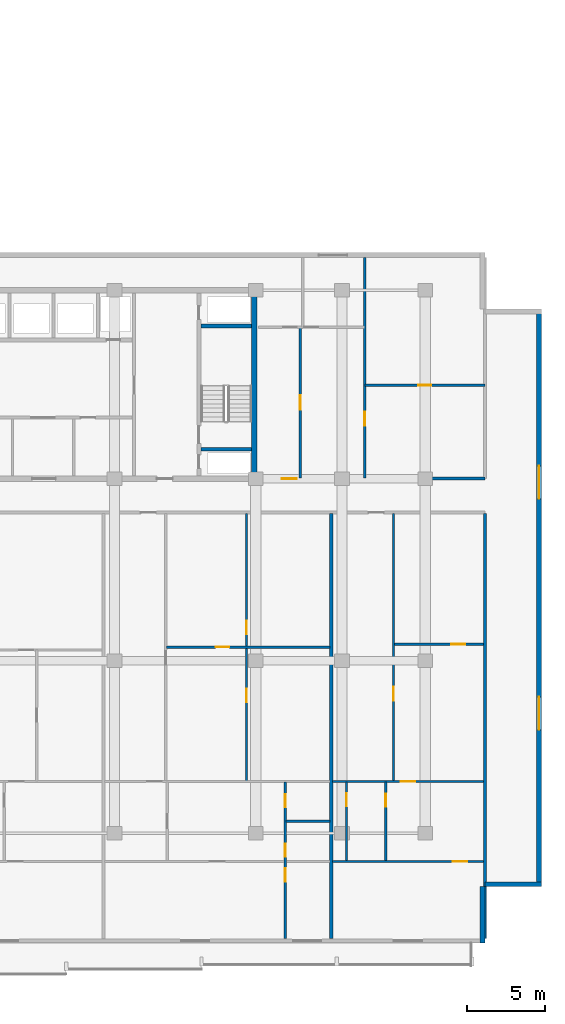
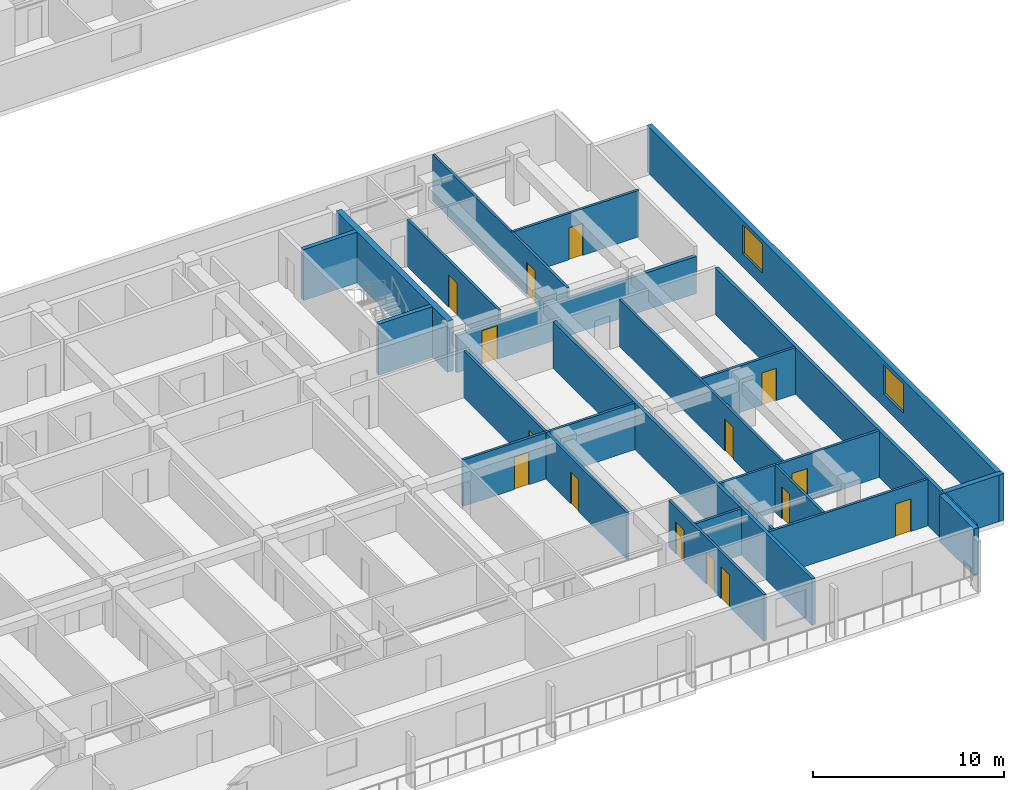
# One storey, part 8 of 24: 22 walls, 16 doors, 2 windows, 18 openings.
"""IFC4 building model written with IfcOpenShell, lengths in metres."""

from ifc_helpers import new_model, si_unit, direction, frame, frame_2d, origin, place, context, subcontext, project, spatial, rectangle, extrude, material, layer, layer_set, type_object, element, fill, save


model = new_model("IFC4")

# Units and contexts
model_context = context("Model", 3, precision=1e-05, world=origin(), true_north=direction((0.0, 1.0)))
body_context = subcontext(model_context, "Body", "Model", "MODEL_VIEW")
ifc_project = project(units=[si_unit("LENGTHUNIT", "METRE"), si_unit("AREAUNIT", "SQUARE_METRE"), si_unit("VOLUMEUNIT", "CUBIC_METRE"), si_unit("PLANEANGLEUNIT", "RADIAN"), si_unit("MASSUNIT", "GRAM", prefix="KILO")], contexts=[model_context])

# Site, building, storey
site_placement = place(None, origin())
site = spatial("IfcSite", under=ifc_project, at=site_placement, CompositionType="ELEMENT")
building_placement = place(site_placement, origin())
building = spatial("IfcBuilding", under=site, at=building_placement, Name="Korimba Cascade Residences", CompositionType="ELEMENT")
storey_placement = place(building_placement, frame((0.0, 0.0, 63.0)))
storey = spatial("IfcBuildingStorey", under=building, at=storey_placement, Name="L17", CompositionType="ELEMENT", Elevation=63.0)

# Walls
ifc_material_1 = material(Name="Precast concrete C40/50", Category="concrete")
ifc_layer_1 = layer(ifc_material_1, 0.300048828125)
ifc_layer_set_1 = layer_set([ifc_layer_1], Name="Precast concrete C40/50")
wall_type_1 = type_object("IfcWallType", Name="EW-STONE-300", PredefinedType="STANDARD", material=ifc_layer_set_1)
wall_1_placement = place(storey_placement, frame((132.550048828125, -11.199951171875, 0.0), z_axis=(0.0, 0.0, 1.0), x_axis=(0.0, 1.0, 0.0)))
element("IfcWall", 1, at=wall_1_placement, inside=storey, type_object=wall_type_1, Name="L17 T2 Perimeter Stone Wall E01", PredefinedType="STANDARD", context=body_context, shape_type="SweptSolid", body=[
    extrude(rectangle(XDim=3.599853515625, YDim=0.300048828125, at=frame_2d((1.7998046875, 0.0))), origin(), (0.0, 0.0, 1.0), 2.969970703125),
])
wall_2_placement = place(storey_placement, frame((132.699951171875, -7.449951171875, 0.0), z_axis=(0.0, 0.0, 1.0), x_axis=(1.0, 0.0, 0.0)))
element("IfcWall", 2, at=wall_2_placement, inside=storey, type_object=wall_type_1, Name="L17 T2 Perimeter Stone Wall E02", PredefinedType="STANDARD", context=body_context, shape_type="SweptSolid", body=[
    extrude(rectangle(XDim=3.60009765625, YDim=0.300048828125, at=frame_2d((1.800048828125, 0.0))), origin(), (0.0, 0.0, 1.0), 2.969970703125),
])

# Wall, openings, windows
wall_3_placement = place(storey_placement, frame((136.14990234375, -7.60009765625, 0.0), z_axis=(0.0, 0.0, 1.0), x_axis=(0.0, 1.0, 0.0)))
wall_3 = element("IfcWall", 3, at=wall_3_placement, inside=storey, type_object=wall_type_1, Name="L17 T2 Perimeter Stone Wall E03", PredefinedType="STANDARD", context=body_context, shape_type="SweptSolid", body=[
    extrude(rectangle(XDim=36.800048828125, YDim=0.300048828125, at=frame_2d((18.39990234375, 0.0))), origin(), (0.0, 0.0, 1.0), 2.969970703125),
])
opening_1_placement = place(wall_3_placement, frame((9.989990234375, 0.0, 0.85009765625)))
opening_1 = element("IfcOpeningElement", 4, at=opening_1_placement, cuts=wall_3, Name="Opening W-03", PredefinedType="OPENING", context=body_context, shape_type="SweptSolid", body=[
    extrude(rectangle(XDim=2.10009765625, YDim=1.85009765625, at=frame_2d((1.050048828125, 0.925048828125))), frame((0.0, 0.16015625, 0.0), z_axis=(0.0, -1.0, 0.0), x_axis=(1.0, 0.0, 0.0)), (0.0, 0.0, 1.0), 0.320068359375),
])
opening_2_placement = place(wall_3_placement, frame((24.7099609375, 0.0, 0.85009765625)))
opening_2 = element("IfcOpeningElement", 5, at=opening_2_placement, cuts=wall_3, Name="Opening W-03", PredefinedType="OPENING", context=body_context, shape_type="SweptSolid", body=[
    extrude(rectangle(XDim=2.10009765625, YDim=1.85009765625, at=frame_2d((1.050048828125, 0.925048828125))), frame((0.0, 0.16015625, 0.0), z_axis=(0.0, -1.0, 0.0), x_axis=(1.0, 0.0, 0.0)), (0.0, 0.0, 1.0), 0.320068359375),
])
ifc_material_2 = material(Name="Double-Glazed Aluminium Window", Category="aluminium")
window_type = type_object("IfcWindowType", Name="WIN-CRN-2100", PartitioningType="DOUBLE_PANEL_HORIZONTAL", PredefinedType="WINDOW", material=ifc_material_2)
window_1_placement = place(opening_1_placement, origin())
window_1 = element("IfcWindow", 6, at=window_1_placement, inside=storey, type_object=window_type, Name="L17 T2 End View Window 3.1", OverallHeight=1.85009765625, OverallWidth=2.10009765625, PartitioningType="DOUBLE_PANEL_HORIZONTAL", PredefinedType="WINDOW", context=body_context, shape_type="SweptSolid", body=[
    extrude(rectangle(XDim=2.10009765625, YDim=1.85009765625, at=frame_2d((1.050048828125, 0.925048828125))), frame((0.0, 0.030029296875, 0.0), z_axis=(0.0, -1.0, 0.0), x_axis=(1.0, 0.0, 0.0)), (0.0, 0.0, 1.0), 0.06005859375),
])
fill(opening_1, window_1)
window_2_placement = place(opening_2_placement, origin())
window_2 = element("IfcWindow", 7, at=window_2_placement, inside=storey, type_object=window_type, Name="L17 T2 End View Window 3.2", OverallHeight=1.85009765625, OverallWidth=2.10009765625, PartitioningType="DOUBLE_PANEL_HORIZONTAL", PredefinedType="WINDOW", context=body_context, shape_type="SweptSolid", body=[
    extrude(rectangle(XDim=2.10009765625, YDim=1.85009765625, at=frame_2d((1.050048828125, 0.925048828125))), frame((0.0, 0.030029296875, 0.0), z_axis=(0.0, -1.0, 0.0), x_axis=(1.0, 0.0, 0.0)), (0.0, 0.0, 1.0), 0.06005859375),
])
fill(opening_2, window_2)

# Wall
ifc_material_3 = material(Name="Concrete C65/80", Category="concrete")
ifc_layer_2 = layer(ifc_material_3, 0.35009765625)
ifc_layer_set_2 = layer_set([ifc_layer_2], Name="Concrete C65/80")
wall_type_2 = type_object("IfcWallType", Name="WAL-CORE-350", PredefinedType="SHEAR", material=ifc_layer_set_2)
wall_4_placement = place(storey_placement, frame((118.014892578125, 18.574951171875, 0.0), z_axis=(0.0, 0.0, 1.0), x_axis=(0.0, 1.0, 0.0)))
element("IfcWall", 8, at=wall_4_placement, inside=storey, type_object=wall_type_2, Name="L17 Core Shear Wall CW-L17-T2-E", PredefinedType="SHEAR", context=body_context, shape_type="SweptSolid", body=[
    extrude(rectangle(XDim=11.650146484375, YDim=0.35009765625, at=frame_2d((5.8251953125, 0.0))), origin(), (0.0, 0.0, 1.0), 3.25),
])

# Wall, opening, door
ifc_layer_3 = layer(ifc_material_1, 0.199951171875)
ifc_layer_set_3 = layer_set([ifc_layer_3], Name="Precast concrete C40/50")
wall_type_3 = type_object("IfcWallType", Name="WAL-IT-200", PredefinedType="PARTITIONING", material=ifc_layer_set_3)
wall_5_placement = place(storey_placement, frame((118.25, 18.39990234375, 0.0), z_axis=(0.0, 0.0, 1.0), x_axis=(1.0, 0.0, 0.0)))
wall_5 = element("IfcWall", 9, at=wall_5_placement, inside=storey, type_object=wall_type_3, Name="L17 Partition Wall WAL-L17-T2-FE-S", PredefinedType="PARTITIONING", context=body_context, shape_type="SweptSolid", body=[
    extrude(rectangle(XDim=14.449951171875, YDim=0.199951171875, at=frame_2d((7.22509765625, 0.0))), origin(), (0.0, 0.0, 1.0), 2.3701171875),
])
opening_3_placement = place(wall_5_placement, frame((1.510009765625, 0.0, 0.0)))
opening_3 = element("IfcOpeningElement", 10, at=opening_3_placement, cuts=wall_5, Name="Opening D-UN1", PredefinedType="OPENING", context=body_context, shape_type="SweptSolid", body=[
    extrude(rectangle(XDim=0.949951171875, YDim=2.14990234375, at=frame_2d((0.47509765625, 1.074951171875))), frame((0.0, 0.10986328125, 0.0), z_axis=(0.0, -1.0, 0.0), x_axis=(1.0, 0.0, 0.0)), (0.0, 0.0, 1.0), 0.219970703125),
])
ifc_material_4 = material(Name="Fire-Rated Hardwood Apartment Entrance Door", Category="wood")
door_type_1 = type_object("IfcDoorType", Name="DR-FD60-950", OperationType="NOTDEFINED", PredefinedType="DOOR", material=ifc_material_4)
door_1_placement = place(opening_3_placement, origin())
door_1 = element("IfcDoor", 11, at=door_1_placement, inside=storey, type_object=door_type_1, Name="L17-T2-FE Entrance Door", OperationType="SINGLE_SWING_LEFT", OverallHeight=2.14990234375, OverallWidth=0.949951171875, PredefinedType="DOOR", context=body_context, shape_type="SweptSolid", body=[
    extrude(rectangle(XDim=0.949951171875, YDim=2.14990234375, at=frame_2d((0.47509765625, 1.074951171875))), frame((0.0, 0.02490234375, 0.0), z_axis=(0.0, -1.0, 0.0), x_axis=(1.0, 0.0, 0.0)), (0.0, 0.0, 1.0), 0.050048828125),
])
fill(opening_3, door_1)

# Walls
for number, where, z_axis, x_axis, name in (
    (12, (132.699951171875, -10.89990234375, 0.0), (0.0, 0.0, 1.0), (0.0, 1.0, 0.0), "L17 Partition Wall WAL-L17-T2-BNDWR"),
    (13, (122.910400390625, -10.89990234375, 0.0), (0.0, 0.0, 1.0), (0.0, 1.0, 0.0), "L17 Partition Wall WAL-L17-T2-DEM-4"),
):
    element("IfcWall", number, at=place(storey_placement, frame(where, z_axis=z_axis, x_axis=x_axis)), inside=storey, type_object=wall_type_3, Name=name, PredefinedType="PARTITIONING", context=body_context, shape_type="SweptSolid", body=[
        extrude(rectangle(XDim=27.06982421875, YDim=0.199951171875, at=frame_2d((13.534912109375, 0.0))), origin(), (0.0, 0.0, 1.0), 2.969970703125),
    ])

# Wall, opening, door
ifc_material_5 = material(Name="Insulated Acoustic Stud Partition", Category="gypsum")
ifc_layer_4 = layer(ifc_material_5, 0.14990234375)
ifc_layer_set_4 = layer_set([ifc_layer_4], Name="Insulated Acoustic Stud Partition")
wall_type_4 = type_object("IfcWallType", Name="WAL-PART-150", PredefinedType="PARTITIONING", material=ifc_layer_set_4)
wall_6_placement = place(storey_placement, frame((125.050048828125, 24.35009765625, 0.0), z_axis=(0.0, 0.0, 1.0), x_axis=(1.0, 0.0, 0.0)))
wall_6 = element("IfcWall", 14, at=wall_6_placement, inside=storey, type_object=wall_type_4, Name="L17 Partition Wall WAL-L17-T2-FE-STH", PredefinedType="PARTITIONING", context=body_context, shape_type="SweptSolid", body=[
    extrude(rectangle(XDim=7.64990234375, YDim=0.14990234375, at=frame_2d((3.824951171875, 0.0))), origin(), (0.0, 0.0, 1.0), 2.969970703125),
])
opening_4_placement = place(wall_6_placement, frame((3.405029296875, 0.0, 0.0)))
opening_4 = element("IfcOpeningElement", 15, at=opening_4_placement, cuts=wall_6, Name="Opening D-BT1", PredefinedType="OPENING", context=body_context, shape_type="SweptSolid", body=[
    extrude(rectangle(XDim=0.840087890625, YDim=2.0400390625, at=frame_2d((0.419921875, 1.02001953125))), frame((0.0, 0.0849609375, 0.0), z_axis=(0.0, -1.0, 0.0), x_axis=(1.0, 0.0, 0.0)), (0.0, 0.0, 1.0), 0.169921875),
])
ifc_material_6 = material(Name="Moisture-Resistant Bathroom Timber Door", Category="wood")
door_type_2 = type_object("IfcDoorType", Name="DR-INT-850", OperationType="NOTDEFINED", PredefinedType="DOOR", material=ifc_material_6)
door_2_placement = place(opening_4_placement, origin())
door_2 = element("IfcDoor", 16, at=door_2_placement, inside=storey, type_object=door_type_2, Name="L17-T2-FE Dressing Store Door", OperationType="SINGLE_SWING_RIGHT", OverallHeight=2.0400390625, OverallWidth=0.840087890625, PredefinedType="DOOR", context=body_context, shape_type="SweptSolid", body=[
    extrude(rectangle(XDim=0.840087890625, YDim=2.0400390625, at=frame_2d((0.419921875, 1.02001953125))), frame((0.0, 0.02490234375, 0.0), z_axis=(0.0, -1.0, 0.0), x_axis=(1.0, 0.0, 0.0)), (0.0, 0.0, 1.0), 0.050048828125),
])
fill(opening_4, door_2)

wall_7_placement = place(storey_placement, frame((125.050048828125, 18.449951171875, 0.0), z_axis=(0.0, 0.0, 1.0), x_axis=(0.0, 1.0, 0.0)))
wall_7 = element("IfcWall", 17, at=wall_7_placement, inside=storey, type_object=wall_type_4, Name="L17 Partition Wall WAL-L17-T2-FE-STV", PredefinedType="PARTITIONING", context=body_context, shape_type="SweptSolid", body=[
    extrude(rectangle(XDim=14.050048828125, YDim=0.14990234375, at=frame_2d((7.02490234375, 0.0))), origin(), (0.0, 0.0, 1.0), 2.969970703125),
])
opening_5_placement = place(wall_7_placement, frame((3.320068359375, 0.0, 0.0)))
opening_5 = element("IfcOpeningElement", 18, at=opening_5_placement, cuts=wall_7, Name="Opening D-IN2", PredefinedType="OPENING", context=body_context, shape_type="SweptSolid", body=[
    extrude(rectangle(XDim=0.8798828125, YDim=2.06005859375, at=frame_2d((0.43994140625, 1.030029296875))), frame((0.0, 0.0849609375, 0.0), z_axis=(0.0, -1.0, 0.0), x_axis=(1.0, 0.0, 0.0)), (0.0, 0.0, 1.0), 0.169921875),
])
ifc_material_7 = material(Name="Acoustic Timber Bedroom Door", Category="wood")
door_type_3 = type_object("IfcDoorType", Name="DR-INT-880", OperationType="NOTDEFINED", PredefinedType="DOOR", material=ifc_material_7)
door_3_placement = place(opening_5_placement, origin())
door_3 = element("IfcDoor", 19, at=door_3_placement, inside=storey, type_object=door_type_3, Name="L17-T2-FE Study Door", OperationType="SINGLE_SWING_LEFT", OverallHeight=2.06005859375, OverallWidth=0.8798828125, PredefinedType="DOOR", context=body_context, shape_type="SweptSolid", body=[
    extrude(rectangle(XDim=0.8798828125, YDim=2.06005859375, at=frame_2d((0.43994140625, 1.030029296875))), frame((0.0, 0.02490234375, 0.0), z_axis=(0.0, -1.0, 0.0), x_axis=(1.0, 0.0, 0.0)), (0.0, 0.0, 1.0), 0.050048828125),
])
fill(opening_5, door_3)

wall_8_placement = place(storey_placement, frame((120.929931640625, 18.449951171875, 0.0), z_axis=(0.0, 0.0, 1.0), x_axis=(0.0, 1.0, 0.0)))
wall_8 = element("IfcWall", 20, at=wall_8_placement, inside=storey, type_object=wall_type_4, Name="L17 Partition Wall WAL-L17-T2-FE-VS", PredefinedType="PARTITIONING", context=body_context, shape_type="SweptSolid", body=[
    extrude(rectangle(XDim=9.60009765625, YDim=0.14990234375, at=frame_2d((4.800048828125, 0.0))), origin(), (0.0, 0.0, 1.0), 2.969970703125),
])
opening_6_placement = place(wall_8_placement, frame((4.340087890625, 0.0, 0.0)))
opening_6 = element("IfcOpeningElement", 21, at=opening_6_placement, cuts=wall_8, Name="Opening D-IN1", PredefinedType="OPENING", context=body_context, shape_type="SweptSolid", body=[
    extrude(rectangle(XDim=0.919921875, YDim=2.080078125, at=frame_2d((0.4599609375, 1.0400390625))), frame((0.0, 0.0849609375, 0.0), z_axis=(0.0, -1.0, 0.0), x_axis=(1.0, 0.0, 0.0)), (0.0, 0.0, 1.0), 0.169921875),
])
ifc_material_8 = material(Name="Acoustic Timber Living Door", Category="wood")
door_type_4 = type_object("IfcDoorType", Name="DR-INT-920", OperationType="NOTDEFINED", PredefinedType="DOOR", material=ifc_material_8)
door_4_placement = place(opening_6_placement, origin())
door_4 = element("IfcDoor", 22, at=door_4_placement, inside=storey, type_object=door_type_4, Name="L17-T2-FE Living Door", OperationType="SINGLE_SWING_RIGHT", OverallHeight=2.080078125, OverallWidth=0.919921875, PredefinedType="DOOR", context=body_context, shape_type="SweptSolid", body=[
    extrude(rectangle(XDim=0.919921875, YDim=2.080078125, at=frame_2d((0.4599609375, 1.0400390625))), frame((0.0, 0.02490234375, 0.0), z_axis=(0.0, -1.0, 0.0), x_axis=(1.0, 0.0, 0.0)), (0.0, 0.0, 1.0), 0.050048828125),
])
fill(opening_6, door_4)

# Wall, openings, doors
wall_9_placement = place(storey_placement, frame((117.507568359375, -0.860107421875, 0.0), z_axis=(0.0, 0.0, 1.0), x_axis=(0.0, 1.0, 0.0)))
wall_9 = element("IfcWall", 23, at=wall_9_placement, inside=storey, type_object=wall_type_4, Name="L17 Partition Wall WAL-L17-T2-U04-FMV", PredefinedType="PARTITIONING", context=body_context, shape_type="SweptSolid", body=[
    extrude(rectangle(XDim=17.050048828125, YDim=0.14990234375, at=frame_2d((8.52490234375, 0.0))), origin(), (0.0, 0.0, 1.0), 2.969970703125),
])
opening_7_placement = place(wall_9_placement, frame((5.026123046875, 0.0, 0.0)))
opening_7 = element("IfcOpeningElement", 24, at=opening_7_placement, cuts=wall_9, Name="Opening D-BT1", PredefinedType="OPENING", context=body_context, shape_type="SweptSolid", body=[
    extrude(rectangle(XDim=0.840087890625, YDim=2.0400390625, at=frame_2d((0.419921875, 1.02001953125))), frame((0.0, 0.0849609375, 0.0), z_axis=(0.0, -1.0, 0.0), x_axis=(1.0, 0.0, 0.0)), (0.0, 0.0, 1.0), 0.169921875),
])
opening_8_placement = place(wall_9_placement, frame((9.338623046875, 0.0, 0.0)))
opening_8 = element("IfcOpeningElement", 25, at=opening_8_placement, cuts=wall_9, Name="Opening D-IN2", PredefinedType="OPENING", context=body_context, shape_type="SweptSolid", body=[
    extrude(rectangle(XDim=0.8798828125, YDim=2.06005859375, at=frame_2d((0.43994140625, 1.030029296875))), frame((0.0, 0.0849609375, 0.0), z_axis=(0.0, -1.0, 0.0), x_axis=(1.0, 0.0, 0.0)), (0.0, 0.0, 1.0), 0.169921875),
])
door_5_placement = place(opening_7_placement, origin())
door_5 = element("IfcDoor", 26, at=door_5_placement, inside=storey, type_object=door_type_2, Name="L17-T2-U04 Wardrobe Door", OperationType="SINGLE_SWING_LEFT", OverallHeight=2.0400390625, OverallWidth=0.840087890625, PredefinedType="DOOR", context=body_context, shape_type="SweptSolid", body=[
    extrude(rectangle(XDim=0.840087890625, YDim=2.0400390625, at=frame_2d((0.419921875, 1.02001953125))), frame((0.0, 0.02490234375, 0.0), z_axis=(0.0, -1.0, 0.0), x_axis=(1.0, 0.0, 0.0)), (0.0, 0.0, 1.0), 0.050048828125),
])
fill(opening_7, door_5)
door_6_placement = place(opening_8_placement, origin())
door_6 = element("IfcDoor", 27, at=door_6_placement, inside=storey, type_object=door_type_3, Name="L17-T2-U04 Music Lounge Door", OperationType="SINGLE_SWING_RIGHT", OverallHeight=2.06005859375, OverallWidth=0.8798828125, PredefinedType="DOOR", context=body_context, shape_type="SweptSolid", body=[
    extrude(rectangle(XDim=0.8798828125, YDim=2.06005859375, at=frame_2d((0.43994140625, 1.030029296875))), frame((0.0, 0.02490234375, 0.0), z_axis=(0.0, -1.0, 0.0), x_axis=(1.0, 0.0, 0.0)), (0.0, 0.0, 1.0), 0.050048828125),
])
fill(opening_8, door_6)

# Wall, opening, door
wall_10_placement = place(storey_placement, frame((112.4248046875, 7.6650390625, 0.0), z_axis=(0.0, 0.0, 1.0), x_axis=(1.0, 0.0, 0.0)))
wall_10 = element("IfcWall", 28, at=wall_10_placement, inside=storey, type_object=wall_type_4, Name="L17 Partition Wall WAL-L17-T2-U04-FMH", PredefinedType="PARTITIONING", context=body_context, shape_type="SweptSolid", body=[
    extrude(rectangle(XDim=10.405517578125, YDim=0.14990234375, at=frame_2d((5.20263671875, 0.0))), origin(), (0.0, 0.0, 1.0), 2.969970703125),
])
opening_9_placement = place(wall_10_placement, frame((3.11083984375, 0.0, 0.0)))
opening_9 = element("IfcOpeningElement", 29, at=opening_9_placement, cuts=wall_10, Name="Opening D-IN2", PredefinedType="OPENING", context=body_context, shape_type="SweptSolid", body=[
    extrude(rectangle(XDim=0.8798828125, YDim=2.06005859375, at=frame_2d((0.43994140625, 1.030029296875))), frame((0.0, 0.0849609375, 0.0), z_axis=(0.0, -1.0, 0.0), x_axis=(1.0, 0.0, 0.0)), (0.0, 0.0, 1.0), 0.169921875),
])
door_7_placement = place(opening_9_placement, origin())
door_7 = element("IfcDoor", 30, at=door_7_placement, inside=storey, type_object=door_type_3, Name="L17-T2-U04 Library Salon Door", OperationType="SINGLE_SWING_LEFT", OverallHeight=2.06005859375, OverallWidth=0.8798828125, PredefinedType="DOOR", context=body_context, shape_type="SweptSolid", body=[
    extrude(rectangle(XDim=0.8798828125, YDim=2.06005859375, at=frame_2d((0.43994140625, 1.030029296875))), frame((0.0, 0.02490234375, 0.0), z_axis=(0.0, -1.0, 0.0), x_axis=(1.0, 0.0, 0.0)), (0.0, 0.0, 1.0), 0.050048828125),
])
fill(opening_9, door_7)

# Wall
wall_11_placement = place(storey_placement, frame((120.0400390625, -3.43994140625, 0.0), z_axis=(0.0, 0.0, 1.0), x_axis=(1.0, 0.0, 0.0)))
element("IfcWall", 31, at=wall_11_placement, inside=storey, type_object=wall_type_4, Name="L17 Partition Wall WAL-L17-T2-U04-BLDIV", PredefinedType="PARTITIONING", context=body_context, shape_type="SweptSolid", body=[
    extrude(rectangle(XDim=2.790283203125, YDim=0.14990234375, at=frame_2d((1.39501953125, 0.0))), origin(), (0.0, 0.0, 1.0), 2.969970703125),
])

# Wall, openings, doors
wall_12_placement = place(storey_placement, frame((119.97998046875, -10.89990234375, 0.0), z_axis=(0.0, 0.0, 1.0), x_axis=(0.0, 1.0, 0.0)))
wall_12 = element("IfcWall", 32, at=wall_12_placement, inside=storey, type_object=wall_type_4, Name="L17 Partition Wall WAL-L17-T2-U04-V1", PredefinedType="PARTITIONING", context=body_context, shape_type="SweptSolid", body=[
    extrude(rectangle(XDim=9.9599609375, YDim=0.14990234375, at=frame_2d((4.97998046875, 0.0))), origin(), (0.0, 0.0, 1.0), 2.969970703125),
])
opening_10_placement = place(wall_12_placement, frame((5.199951171875, 0.0, 0.0)))
opening_10 = element("IfcOpeningElement", 33, at=opening_10_placement, cuts=wall_12, Name="Opening D-BT1", PredefinedType="OPENING", context=body_context, shape_type="SweptSolid", body=[
    extrude(rectangle(XDim=0.840087890625, YDim=2.0400390625, at=frame_2d((0.419921875, 1.02001953125))), frame((0.0, 0.0849609375, 0.0), z_axis=(0.0, -1.0, 0.0), x_axis=(1.0, 0.0, 0.0)), (0.0, 0.0, 1.0), 0.169921875),
])
opening_11_placement = place(wall_12_placement, frame((8.359130859375, 0.0, 0.0)))
opening_11 = element("IfcOpeningElement", 34, at=opening_11_placement, cuts=wall_12, Name="Opening D-BT1", PredefinedType="OPENING", context=body_context, shape_type="SweptSolid", body=[
    extrude(rectangle(XDim=0.840087890625, YDim=2.0400390625, at=frame_2d((0.419921875, 1.02001953125))), frame((0.0, 0.0849609375, 0.0), z_axis=(0.0, -1.0, 0.0), x_axis=(1.0, 0.0, 0.0)), (0.0, 0.0, 1.0), 0.169921875),
])
opening_12_placement = place(wall_12_placement, frame((3.60009765625, 0.0, 0.0)))
opening_12 = element("IfcOpeningElement", 35, at=opening_12_placement, cuts=wall_12, Name="Opening D-IN2", PredefinedType="OPENING", context=body_context, shape_type="SweptSolid", body=[
    extrude(rectangle(XDim=0.8798828125, YDim=2.06005859375, at=frame_2d((0.43994140625, 1.030029296875))), frame((0.0, 0.0849609375, 0.0), z_axis=(0.0, -1.0, 0.0), x_axis=(1.0, 0.0, 0.0)), (0.0, 0.0, 1.0), 0.169921875),
])
door_8_placement = place(opening_10_placement, origin())
door_8 = element("IfcDoor", 36, at=door_8_placement, inside=storey, type_object=door_type_2, Name="L17-T2-U04 Bathroom Door", OperationType="SINGLE_SWING_RIGHT", OverallHeight=2.0400390625, OverallWidth=0.840087890625, PredefinedType="DOOR", context=body_context, shape_type="SweptSolid", body=[
    extrude(rectangle(XDim=0.840087890625, YDim=2.0400390625, at=frame_2d((0.419921875, 1.02001953125))), frame((0.0, 0.02490234375, 0.0), z_axis=(0.0, -1.0, 0.0), x_axis=(1.0, 0.0, 0.0)), (0.0, 0.0, 1.0), 0.050048828125),
])
fill(opening_10, door_8)
door_9_placement = place(opening_11_placement, origin())
door_9 = element("IfcDoor", 37, at=door_9_placement, inside=storey, type_object=door_type_2, Name="L17-T2-U04 Laundry Door", OperationType="SINGLE_SWING_LEFT", OverallHeight=2.0400390625, OverallWidth=0.840087890625, PredefinedType="DOOR", context=body_context, shape_type="SweptSolid", body=[
    extrude(rectangle(XDim=0.840087890625, YDim=2.0400390625, at=frame_2d((0.419921875, 1.02001953125))), frame((0.0, 0.02490234375, 0.0), z_axis=(0.0, -1.0, 0.0), x_axis=(1.0, 0.0, 0.0)), (0.0, 0.0, 1.0), 0.050048828125),
])
fill(opening_11, door_9)
door_10_placement = place(opening_12_placement, origin())
door_10 = element("IfcDoor", 38, at=door_10_placement, inside=storey, type_object=door_type_3, Name="L17-T2-U04 Bedroom 1 Door", OperationType="SINGLE_SWING_RIGHT", OverallHeight=2.06005859375, OverallWidth=0.8798828125, PredefinedType="DOOR", context=body_context, shape_type="SweptSolid", body=[
    extrude(rectangle(XDim=0.8798828125, YDim=2.06005859375, at=frame_2d((0.43994140625, 1.030029296875))), frame((0.0, 0.02490234375, 0.0), z_axis=(0.0, -1.0, 0.0), x_axis=(1.0, 0.0, 0.0)), (0.0, 0.0, 1.0), 0.050048828125),
])
fill(opening_12, door_10)

# Wall, opening, door
wall_13_placement = place(storey_placement, frame((126.9404296875, 7.844970703125, 0.0), z_axis=(0.0, 0.0, 1.0), x_axis=(1.0, 0.0, 0.0)))
wall_13 = element("IfcWall", 39, at=wall_13_placement, inside=storey, type_object=wall_type_4, Name="L17 Partition Wall WAL-L17-T2-U05-FMH", PredefinedType="PARTITIONING", context=body_context, shape_type="SweptSolid", body=[
    extrude(rectangle(XDim=5.6796875, YDim=0.14990234375, at=frame_2d((2.83984375, 0.0))), origin(), (0.0, 0.0, 1.0), 2.969970703125),
])
opening_13_placement = place(wall_13_placement, frame((3.629638671875, 0.0, 0.0)))
opening_13 = element("IfcOpeningElement", 40, at=opening_13_placement, cuts=wall_13, Name="Opening D-IN2", PredefinedType="OPENING", context=body_context, shape_type="SweptSolid", body=[
    extrude(rectangle(XDim=0.8798828125, YDim=2.06005859375, at=frame_2d((0.43994140625, 1.030029296875))), frame((0.0, 0.0849609375, 0.0), z_axis=(0.0, -1.0, 0.0), x_axis=(1.0, 0.0, 0.0)), (0.0, 0.0, 1.0), 0.169921875),
])
door_11_placement = place(opening_13_placement, origin())
door_11 = element("IfcDoor", 41, at=door_11_placement, inside=storey, type_object=door_type_3, Name="L17-T2-U05 Library Salon Door", OperationType="SINGLE_SWING_LEFT", OverallHeight=2.06005859375, OverallWidth=0.8798828125, PredefinedType="DOOR", context=body_context, shape_type="SweptSolid", body=[
    extrude(rectangle(XDim=0.8798828125, YDim=2.06005859375, at=frame_2d((0.43994140625, 1.030029296875))), frame((0.0, 0.02490234375, 0.0), z_axis=(0.0, -1.0, 0.0), x_axis=(1.0, 0.0, 0.0)), (0.0, 0.0, 1.0), 0.050048828125),
])
fill(opening_13, door_11)

wall_14_placement = place(storey_placement, frame((126.88037109375, -0.860107421875, 0.0), z_axis=(0.0, 0.0, 1.0), x_axis=(0.0, 1.0, 0.0)))
wall_14 = element("IfcWall", 42, at=wall_14_placement, inside=storey, type_object=wall_type_4, Name="L17 Partition Wall WAL-L17-T2-U05-FV", PredefinedType="PARTITIONING", context=body_context, shape_type="SweptSolid", body=[
    extrude(rectangle(XDim=17.050048828125, YDim=0.14990234375, at=frame_2d((8.52490234375, 0.0))), origin(), (0.0, 0.0, 1.0), 2.969970703125),
])
opening_14_placement = place(wall_14_placement, frame((5.118408203125, 0.0, 0.0)))
opening_14 = element("IfcOpeningElement", 43, at=opening_14_placement, cuts=wall_14, Name="Opening D-IN2", PredefinedType="OPENING", context=body_context, shape_type="SweptSolid", body=[
    extrude(rectangle(XDim=0.8798828125, YDim=2.06005859375, at=frame_2d((0.43994140625, 1.030029296875))), frame((0.0, 0.0849609375, 0.0), z_axis=(0.0, -1.0, 0.0), x_axis=(1.0, 0.0, 0.0)), (0.0, 0.0, 1.0), 0.169921875),
])
door_12_placement = place(opening_14_placement, origin())
door_12 = element("IfcDoor", 44, at=door_12_placement, inside=storey, type_object=door_type_3, Name="L17-T2-U05 Media Lounge Door", OperationType="SINGLE_SWING_RIGHT", OverallHeight=2.06005859375, OverallWidth=0.8798828125, PredefinedType="DOOR", context=body_context, shape_type="SweptSolid", body=[
    extrude(rectangle(XDim=0.8798828125, YDim=2.06005859375, at=frame_2d((0.43994140625, 1.030029296875))), frame((0.0, 0.02490234375, 0.0), z_axis=(0.0, -1.0, 0.0), x_axis=(1.0, 0.0, 0.0)), (0.0, 0.0, 1.0), 0.050048828125),
])
fill(opening_14, door_12)

wall_15_placement = place(storey_placement, frame((123.8798828125, -5.93994140625, 0.0), z_axis=(0.0, 0.0, 1.0), x_axis=(0.0, 1.0, 0.0)))
wall_15 = element("IfcWall", 45, at=wall_15_placement, inside=storey, type_object=wall_type_4, Name="L17 Partition Wall WAL-L17-T2-U05-CLS", PredefinedType="PARTITIONING", context=body_context, shape_type="SweptSolid", body=[
    extrude(rectangle(XDim=5.0, YDim=0.14990234375, at=frame_2d((2.5, 0.0))), origin(), (0.0, 0.0, 1.0), 2.219970703125),
])
opening_15_placement = place(wall_15_placement, frame((3.464111328125, 0.0, 0.0)))
opening_15 = element("IfcOpeningElement", 46, at=opening_15_placement, cuts=wall_15, Name="Opening D-BT1", PredefinedType="OPENING", context=body_context, shape_type="SweptSolid", body=[
    extrude(rectangle(XDim=0.840087890625, YDim=2.0400390625, at=frame_2d((0.419921875, 1.02001953125))), frame((0.0, 0.0849609375, 0.0), z_axis=(0.0, -1.0, 0.0), x_axis=(1.0, 0.0, 0.0)), (0.0, 0.0, 1.0), 0.169921875),
])
door_13_placement = place(opening_15_placement, origin())
door_13 = element("IfcDoor", 47, at=door_13_placement, inside=storey, type_object=door_type_2, Name="L17-T2-U05 Closet Door", OperationType="SINGLE_SWING_LEFT", OverallHeight=2.0400390625, OverallWidth=0.840087890625, PredefinedType="DOOR", context=body_context, shape_type="SweptSolid", body=[
    extrude(rectangle(XDim=0.840087890625, YDim=2.0400390625, at=frame_2d((0.419921875, 1.02001953125))), frame((0.0, 0.02490234375, 0.0), z_axis=(0.0, -1.0, 0.0), x_axis=(1.0, 0.0, 0.0)), (0.0, 0.0, 1.0), 0.050048828125),
])
fill(opening_15, door_13)

wall_16_placement = place(storey_placement, frame((126.3798828125, -5.93994140625, 0.0), z_axis=(0.0, 0.0, 1.0), x_axis=(0.0, 1.0, 0.0)))
wall_16 = element("IfcWall", 48, at=wall_16_placement, inside=storey, type_object=wall_type_4, Name="L17 Partition Wall WAL-L17-T2-U05-BM", PredefinedType="PARTITIONING", context=body_context, shape_type="SweptSolid", body=[
    extrude(rectangle(XDim=5.0, YDim=0.14990234375, at=frame_2d((2.5, 0.0))), origin(), (0.0, 0.0, 1.0), 2.969970703125),
])
opening_16_placement = place(wall_16_placement, frame((3.424072265625, 0.0, 0.0)))
opening_16 = element("IfcOpeningElement", 49, at=opening_16_placement, cuts=wall_16, Name="Opening D-BT1", PredefinedType="OPENING", context=body_context, shape_type="SweptSolid", body=[
    extrude(rectangle(XDim=0.840087890625, YDim=2.0400390625, at=frame_2d((0.419921875, 1.02001953125))), frame((0.0, 0.0849609375, 0.0), z_axis=(0.0, -1.0, 0.0), x_axis=(1.0, 0.0, 0.0)), (0.0, 0.0, 1.0), 0.169921875),
])
door_14_placement = place(opening_16_placement, origin())
door_14 = element("IfcDoor", 50, at=door_14_placement, inside=storey, type_object=door_type_2, Name="L17-T2-U05 Bathroom Door", OperationType="SINGLE_SWING_RIGHT", OverallHeight=2.0400390625, OverallWidth=0.840087890625, PredefinedType="DOOR", context=body_context, shape_type="SweptSolid", body=[
    extrude(rectangle(XDim=0.840087890625, YDim=2.0400390625, at=frame_2d((0.419921875, 1.02001953125))), frame((0.0, 0.02490234375, 0.0), z_axis=(0.0, -1.0, 0.0), x_axis=(1.0, 0.0, 0.0)), (0.0, 0.0, 1.0), 0.050048828125),
])
fill(opening_16, door_14)

wall_17_placement = place(storey_placement, frame((122.990478515625, -0.89990234375, 0.0), z_axis=(0.0, 0.0, 1.0), x_axis=(1.0, 0.0, 0.0)))
wall_17 = element("IfcWall", 51, at=wall_17_placement, inside=storey, type_object=wall_type_4, Name="L17 Partition Wall WAL-L17-T2-U05-MW", PredefinedType="PARTITIONING", context=body_context, shape_type="SweptSolid", body=[
    extrude(rectangle(XDim=9.629638671875, YDim=0.14990234375, at=frame_2d((4.81494140625, 0.0))), origin(), (0.0, 0.0, 1.0), 2.969970703125),
])
opening_17_placement = place(wall_17_placement, frame((4.354736328125, 0.0, 0.0)))
opening_17 = element("IfcOpeningElement", 52, at=opening_17_placement, cuts=wall_17, Name="Opening D-IN1", PredefinedType="OPENING", context=body_context, shape_type="SweptSolid", body=[
    extrude(rectangle(XDim=0.919921875, YDim=2.080078125, at=frame_2d((0.4599609375, 1.0400390625))), frame((0.0, 0.0849609375, 0.0), z_axis=(0.0, -1.0, 0.0), x_axis=(1.0, 0.0, 0.0)), (0.0, 0.0, 1.0), 0.169921875),
])
door_15_placement = place(opening_17_placement, origin())
door_15 = element("IfcDoor", 53, at=door_15_placement, inside=storey, type_object=door_type_4, Name="L17-T2-U05 Studio Kitchen Door", OperationType="SINGLE_SWING_LEFT", OverallHeight=2.080078125, OverallWidth=0.919921875, PredefinedType="DOOR", context=body_context, shape_type="SweptSolid", body=[
    extrude(rectangle(XDim=0.919921875, YDim=2.080078125, at=frame_2d((0.4599609375, 1.0400390625))), frame((0.0, 0.02490234375, 0.0), z_axis=(0.0, -1.0, 0.0), x_axis=(1.0, 0.0, 0.0)), (0.0, 0.0, 1.0), 0.050048828125),
])
fill(opening_17, door_15)

wall_18_placement = place(storey_placement, frame((122.990478515625, -6.0, 0.0), z_axis=(0.0, 0.0, 1.0), x_axis=(1.0, 0.0, 0.0)))
wall_18 = element("IfcWall", 54, at=wall_18_placement, inside=storey, type_object=wall_type_4, Name="L17 Partition Wall WAL-L17-T2-U05-HZ", PredefinedType="PARTITIONING", context=body_context, shape_type="SweptSolid", body=[
    extrude(rectangle(XDim=9.629638671875, YDim=0.14990234375, at=frame_2d((4.81494140625, 0.0))), origin(), (0.0, 0.0, 1.0), 2.969970703125),
])
opening_18_placement = place(wall_18_placement, frame((7.65478515625, 0.0, 0.0)))
opening_18 = element("IfcOpeningElement", 55, at=opening_18_placement, cuts=wall_18, Name="Opening D-IN1", PredefinedType="OPENING", context=body_context, shape_type="SweptSolid", body=[
    extrude(rectangle(XDim=0.919921875, YDim=2.080078125, at=frame_2d((0.4599609375, 1.0400390625))), frame((0.0, 0.0849609375, 0.0), z_axis=(0.0, -1.0, 0.0), x_axis=(1.0, 0.0, 0.0)), (0.0, 0.0, 1.0), 0.169921875),
])
door_16_placement = place(opening_18_placement, origin())
door_16 = element("IfcDoor", 56, at=door_16_placement, inside=storey, type_object=door_type_4, Name="L17-T2-U05 Studio Door", OperationType="SINGLE_SWING_RIGHT", OverallHeight=2.080078125, OverallWidth=0.919921875, PredefinedType="DOOR", context=body_context, shape_type="SweptSolid", body=[
    extrude(rectangle(XDim=0.919921875, YDim=2.080078125, at=frame_2d((0.4599609375, 1.0400390625))), frame((0.0, 0.02490234375, 0.0), z_axis=(0.0, -1.0, 0.0), x_axis=(1.0, 0.0, 0.0)), (0.0, 0.0, 1.0), 0.050048828125),
])
fill(opening_18, door_16)

# Walls
ifc_material_9 = material(Name="Concrete C50/60", Category="concrete")
ifc_layer_5 = layer(ifc_material_9, 0.25)
ifc_layer_set_5 = layer_set([ifc_layer_5], Name="Concrete C50/60")
wall_type_5 = type_object("IfcWallType", Name="WAL-SHAFT-250", PredefinedType="SHEAR", material=ifc_layer_set_5)
for number, where, z_axis, x_axis, name in (
    (57, (114.60009765625, 20.27490234375, 0.0), (0.0, 0.0, 1.0), (1.0, 0.0, 0.0), "L17 Core Shear Wall CW-L17-T2-STE2S"),
    (58, (114.60009765625, 28.125, 0.0), (0.0, 0.0, 1.0), (1.0, 0.0, 0.0), "L17 Core Shear Wall CW-L17-T2-STE2N"),
):
    element("IfcWall", number, at=place(storey_placement, frame(where, z_axis=z_axis, x_axis=x_axis)), inside=storey, type_object=wall_type_5, Name=name, PredefinedType="SHEAR", context=body_context, shape_type="SweptSolid", body=[
        extrude(rectangle(XDim=3.239990234375, YDim=0.25, at=frame_2d((1.6201171875, 0.0))), origin(), (0.0, 0.0, 1.0), 3.25),
    ])

save(model, "model.ifc")
